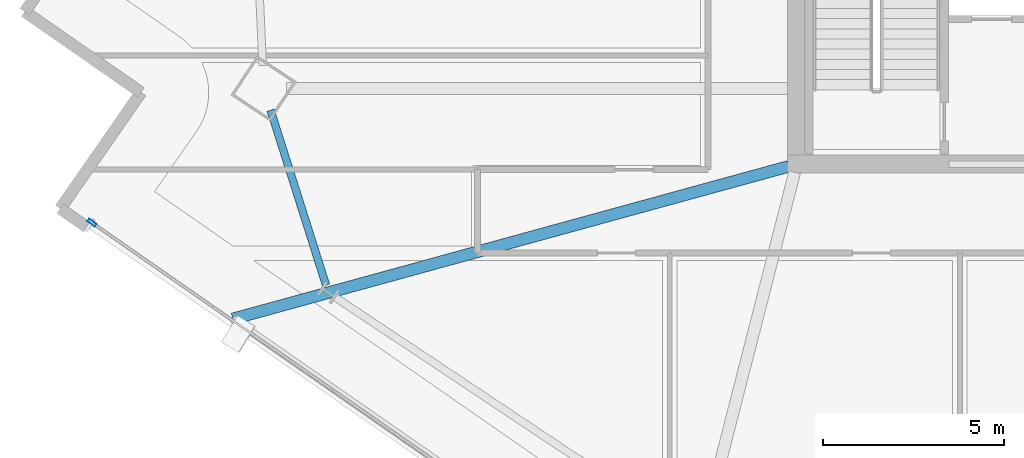
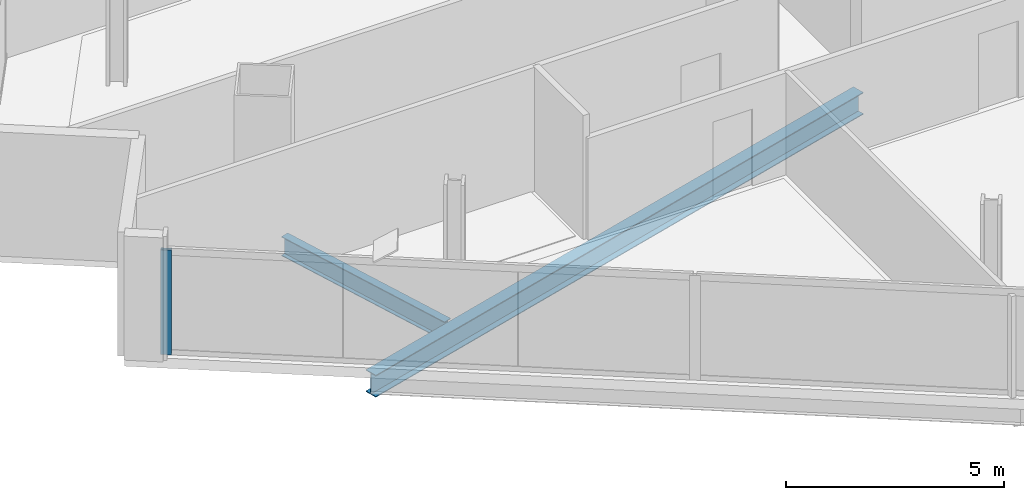
# One storey, part 5 of 30: 2 beams, 1 member, 1 element without a shape of its own.
"""IFC4 building model written with IfcOpenShell, lengths in metres."""

from ifc_helpers import new_model, si_unit, direction, frame, origin, origin_2d, place, context, subcontext, project, spatial, hollow_rectangle, i_section, extrude, material, material_profile, profile_set, type_object, element, aggregate, save


model = new_model("IFC4")

# Units and contexts
model_context = context("Model", 3, precision=1e-05, world=origin(), true_north=direction((0.0, 1.0)))
body_context = subcontext(model_context, "Body", "Model", "MODEL_VIEW")
ifc_project = project(units=[si_unit("LENGTHUNIT", "METRE"), si_unit("AREAUNIT", "SQUARE_METRE"), si_unit("VOLUMEUNIT", "CUBIC_METRE"), si_unit("PLANEANGLEUNIT", "RADIAN"), si_unit("MASSUNIT", "GRAM", prefix="KILO")], contexts=[model_context])

# Site, building, storey
site_placement = place(None, origin())
site = spatial("IfcSite", under=ifc_project, at=site_placement, CompositionType="ELEMENT")
building_placement = place(site_placement, origin())
building = spatial("IfcBuilding", under=site, at=building_placement, Name="Haldenkirk Collegiate Tower", CompositionType="ELEMENT")
storey_placement = place(building_placement, frame((0.0, 0.0, 213.449951171875)))
storey = spatial("IfcBuildingStorey", under=building, at=storey_placement, Name="L53", CompositionType="ELEMENT", Elevation=213.449951171875)

# Beams
ifc_material_1 = material(Name="Steel ASTM A992 Grade 50", Category="steel")
ifc_material_profile_1 = material_profile(ifc_material_1, i_section(OverallWidth=0.324951171875, OverallDepth=0.615966796875, WebThickness=0.013916015625, FlangeThickness=0.021484375, at=origin_2d()), Name="W24X117")
ifc_profile_set_1 = profile_set([ifc_material_profile_1], Name="Steel ASTM A992 Grade 50")
beam_type_1 = type_object("IfcBeamType", Name="BM-GIRDER-W24X117", PredefinedType="BEAM", material=ifc_profile_set_1)
beam_1_placement = place(storey_placement, frame((11.45458984375, 13.734619140625, -0.587890625), z_axis=(0.964357056752, 0.264604359548, 0.0), x_axis=(-0.264604359548, 0.964357056752, 0.0)))
element("IfcBeam", 1, at=beam_1_placement, inside=storey, type_object=beam_type_1, Name="L53 primary floor girder 14", PredefinedType="BEAM", context=body_context, shape_type="SweptSolid", body=[
    extrude(i_section(OverallWidth=0.324951171875, OverallDepth=0.615966796875, WebThickness=0.013916015625, FlangeThickness=0.021484375, at=origin_2d()), origin(), (0.0, 0.0, 1.0), 15.89013671875),
])
ifc_material_profile_2 = material_profile(ifc_material_1, i_section(OverallWidth=0.2099609375, OverallDepth=0.537109375, WebThickness=0.010986328125, FlangeThickness=0.017333984375, at=origin_2d()), Name="W21X68")
ifc_profile_set_2 = profile_set([ifc_material_profile_2], Name="Steel ASTM A992 Grade 50")
beam_type_2 = type_object("IfcBeamType", Name="BM-SPANDREL-W21X68", PredefinedType="SPANDREL", material=ifc_profile_set_2)
beam_2_placement = place(storey_placement, frame((12.494873046875, 19.489013671875, -0.54833984375), z_axis=(0.301937009704, -0.95332787758, 0.0), x_axis=(0.95332787758, 0.301937009704, 0.0)))
element("IfcBeam", 2, at=beam_2_placement, inside=storey, type_object=beam_type_2, Name="L53 perimeter spandrel beam 13", PredefinedType="SPANDREL", context=body_context, shape_type="SweptSolid", body=[
    extrude(i_section(OverallWidth=0.2099609375, OverallDepth=0.537109375, WebThickness=0.010986328125, FlangeThickness=0.017333984375, at=origin_2d()), origin(), (0.0, 0.0, 1.0), 5.060791015625),
])

# Curtain wall, member
ifc_material_2 = material(Name="Anodised architectural bronze aluminium", Category="aluminium")
curtain_wall_type = type_object("IfcCurtainWallType", Name="CW-SYS1B-CONVEX-HI", PredefinedType="USERDEFINED", material=ifc_material_2)
curtain_wall_placement = place(storey_placement, origin())
curtain_wall = element("IfcCurtainWall", 3, at=curtain_wall_placement, inside=storey, type_object=curtain_wall_type, Name="L53 Upper tower high-wind convex bronze unitised curtain wall", ObjectType="UNITISED CURTAIN WALL", PredefinedType="USERDEFINED")
ifc_material_profile_3 = material_profile(ifc_material_2, hollow_rectangle(XDim=0.0849609375, YDim=0.25, WallThickness=0.0048828125, at=origin_2d()), Name="CW-MUL-1B")
ifc_profile_set_3 = profile_set([ifc_material_profile_3], Name="Anodised architectural bronze aluminium")
member_type = type_object("IfcMemberType", Name="CW-MUL-1B", PredefinedType="MULLION", material=ifc_profile_set_3)
member_placement = place(storey_placement, frame((7.57080078125, 16.385498046875, 0.0), z_axis=(0.0, 0.0, 1.0), x_axis=(-0.570714605919, -0.821148487541, 0.0)))
member = element("IfcMember", 4, at=member_placement, type_object=member_type, Name="CW-1B mullion 4", PredefinedType="MULLION", context=body_context, shape_type="SweptSolid", body=[
    extrude(hollow_rectangle(XDim=0.0849609375, YDim=0.25, WallThickness=0.0048828125, at=origin_2d()), origin(), (0.0, 0.0, 1.0), 2.927978515625),
])
aggregate(curtain_wall, [member])

save(model, "model.ifc")
